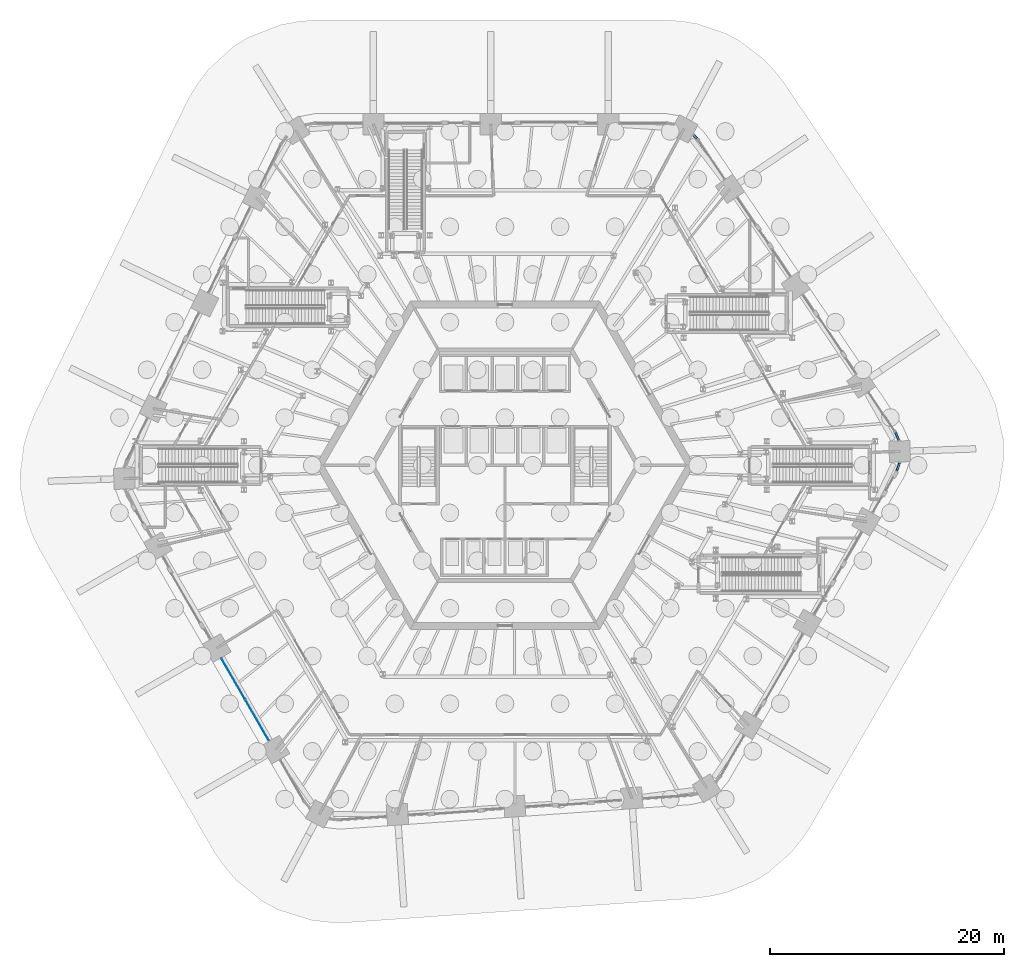
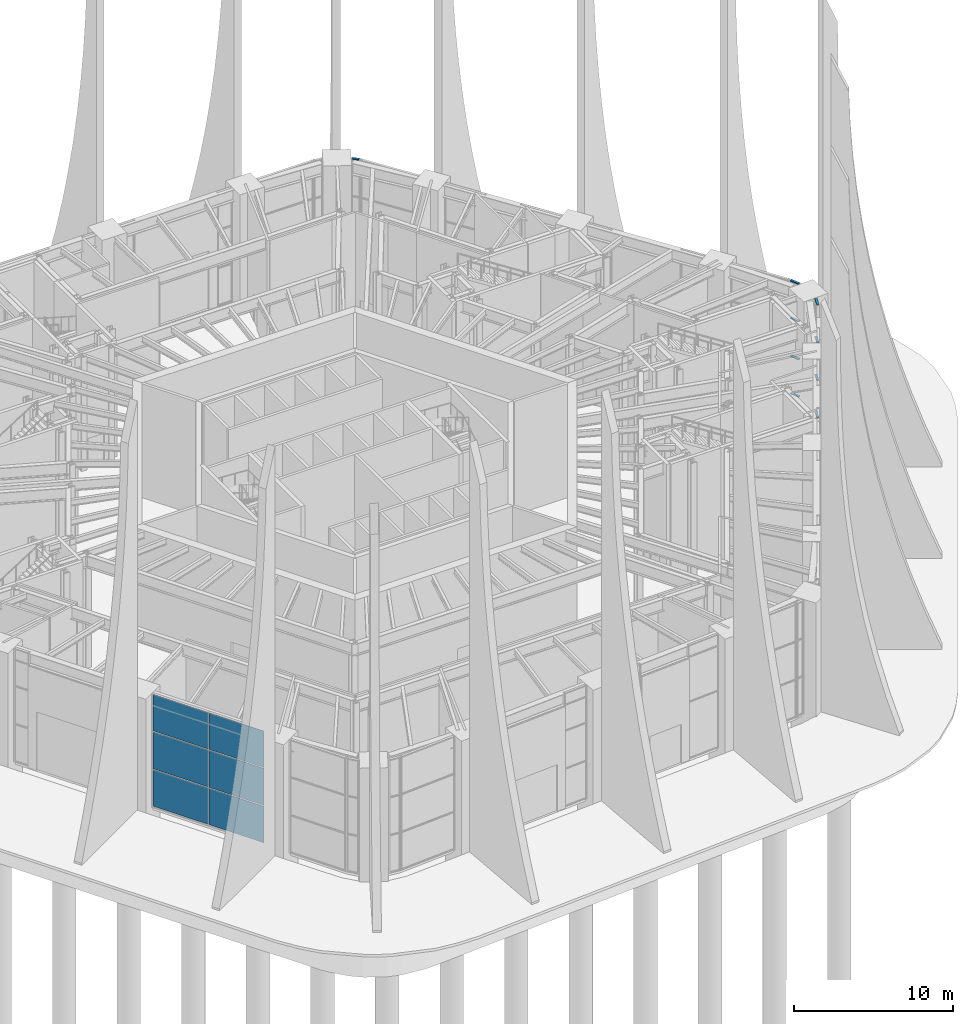
# One storey, part 17 of 43: 9 members, 6 plates, 4 elements without a shape of their own.
"""IFC4 building model written with IfcOpenShell, lengths in metres."""

from ifc_helpers import new_model, si_unit, direction, frame, origin, origin_2d, place, context, subcontext, project, spatial, rectangle, extrude, material, layer, layer_set, material_profile, profile_set, type_object, element, aggregate, save


model = new_model("IFC4")

# Units and contexts
model_context = context("Model", 3, precision=1e-05, world=origin(), true_north=direction((0.0, 1.0)))
body_context = subcontext(model_context, "Body", "Model", "MODEL_VIEW")
ifc_project = project(units=[si_unit("LENGTHUNIT", "METRE"), si_unit("AREAUNIT", "SQUARE_METRE"), si_unit("VOLUMEUNIT", "CUBIC_METRE"), si_unit("PLANEANGLEUNIT", "RADIAN"), si_unit("MASSUNIT", "GRAM", prefix="KILO")], contexts=[model_context])

# Site, building, storey
site_placement = place(None, origin())
site = spatial("IfcSite", under=ifc_project, at=site_placement, CompositionType="ELEMENT")
building_placement = place(site_placement, origin())
building = spatial("IfcBuilding", under=site, at=building_placement, Name="Tarnside Tower", CompositionType="ELEMENT")
storey_placement = place(building_placement, origin())
storey = spatial("IfcBuildingStorey", under=building, at=storey_placement, Name="L00", CompositionType="ELEMENT", Elevation=0.0)

# Curtain wall, members
ifc_material_1 = material(Name="Station concourse glazing wall", Category="glass")
curtain_wall_type = type_object("IfcCurtainWallType", Name="Station concourse glazing wall", PredefinedType="NOTDEFINED", material=ifc_material_1)
curtain_wall_1_placement = place(storey_placement, origin())
curtain_wall_1 = element("IfcCurtainWall", 1, at=curtain_wall_1_placement, inside=storey, type_object=curtain_wall_type, Name="Side light 181a", PredefinedType="NOTDEFINED")
ifc_material_2 = material(Name="Aluminium alloy 6063", Category="aluminium")
ifc_material_profile = material_profile(ifc_material_2, rectangle(XDim=0.159912109375, YDim=0.080078125, at=origin_2d()), Name="Station concourse glazing transom 80 x 160")
ifc_profile_set = profile_set([ifc_material_profile], Name="Aluminium alloy 6063")
member_type = type_object("IfcMemberType", Name="Station concourse glazing transom 80 x 160", PredefinedType="USERDEFINED", material=ifc_profile_set)
member_1_placement = place(storey_placement, frame((33.445556640625, -0.437744140625, 0.0400390625), z_axis=(0.331024301791, 0.943622229297, 0.0), x_axis=(-0.943622229297, 0.331024301791, 0.0)))
member_1 = element("IfcMember", 2, at=member_1_placement, type_object=member_type, Name="CW1 transom 1.1", ObjectType="TRANSOM", PredefinedType="USERDEFINED", context=body_context, shape_type="SweptSolid", body=[
    extrude(rectangle(XDim=0.159912109375, YDim=0.080078125, at=origin_2d()), origin(), (0.0, 0.0, 1.0), 0.66162109375),
])
member_2_placement = place(storey_placement, frame((33.445556640625, -0.437744140625, 2.916748046875), z_axis=(0.331024301791, 0.943622229297, 0.0), x_axis=(-0.943622229297, 0.331024301791, 0.0)))
member_2 = element("IfcMember", 3, at=member_2_placement, type_object=member_type, Name="CW1 transom 1.2", ObjectType="TRANSOM", PredefinedType="USERDEFINED", context=body_context, shape_type="SweptSolid", body=[
    extrude(rectangle(XDim=0.159912109375, YDim=0.080078125, at=origin_2d()), origin(), (0.0, 0.0, 1.0), 0.66162109375),
])
member_3_placement = place(storey_placement, frame((33.445556640625, -0.437744140625, 5.833251953125), z_axis=(0.331024301791, 0.943622229297, 0.0), x_axis=(-0.943622229297, 0.331024301791, 0.0)))
member_3 = element("IfcMember", 4, at=member_3_placement, type_object=member_type, Name="CW1 transom 1.3", ObjectType="TRANSOM", PredefinedType="USERDEFINED", context=body_context, shape_type="SweptSolid", body=[
    extrude(rectangle(XDim=0.159912109375, YDim=0.080078125, at=origin_2d()), origin(), (0.0, 0.0, 1.0), 0.66162109375),
])
member_4_placement = place(storey_placement, frame((33.445556640625, -0.437744140625, 8.7099609375), z_axis=(0.331024301791, 0.943622229297, 0.0), x_axis=(-0.943622229297, 0.331024301791, 0.0)))
member_4 = element("IfcMember", 5, at=member_4_placement, type_object=member_type, Name="CW1 transom 1.4", ObjectType="TRANSOM", PredefinedType="USERDEFINED", context=body_context, shape_type="SweptSolid", body=[
    extrude(rectangle(XDim=0.159912109375, YDim=0.080078125, at=origin_2d()), origin(), (0.0, 0.0, 1.0), 0.66162109375),
])
aggregate(curtain_wall_1, [member_1, member_2, member_3, member_4])

curtain_wall_2_placement = place(storey_placement, origin())
curtain_wall_2 = element("IfcCurtainWall", 6, at=curtain_wall_2_placement, inside=storey, type_object=curtain_wall_type, Name="Station concourse glazing L00 19.0", PredefinedType="NOTDEFINED")
member_5_placement = place(storey_placement, frame((33.595458984375, 2.162353515625, 0.0400390625), z_axis=(-0.396146041171, 0.918187515742, 0.0), x_axis=(-0.918187515742, -0.396146041171, 0.0)))
member_5 = element("IfcMember", 7, at=member_5_placement, type_object=member_type, Name="CW1 transom 1.1", ObjectType="TRANSOM", PredefinedType="USERDEFINED", context=body_context, shape_type="SweptSolid", body=[
    extrude(rectangle(XDim=0.159912109375, YDim=0.080078125, at=origin_2d()), origin(), (0.0, 0.0, 1.0), 0.661376953125),
])
member_6_placement = place(storey_placement, frame((33.595458984375, 2.162353515625, 2.916748046875), z_axis=(-0.396146041171, 0.918187515742, 0.0), x_axis=(-0.918187515742, -0.396146041171, 0.0)))
member_6 = element("IfcMember", 8, at=member_6_placement, type_object=member_type, Name="CW1 transom 1.2", ObjectType="TRANSOM", PredefinedType="USERDEFINED", context=body_context, shape_type="SweptSolid", body=[
    extrude(rectangle(XDim=0.159912109375, YDim=0.080078125, at=origin_2d()), origin(), (0.0, 0.0, 1.0), 0.661376953125),
])
member_7_placement = place(storey_placement, frame((33.595458984375, 2.162353515625, 5.833251953125), z_axis=(-0.396146041171, 0.918187515742, 0.0), x_axis=(-0.918187515742, -0.396146041171, 0.0)))
member_7 = element("IfcMember", 9, at=member_7_placement, type_object=member_type, Name="CW1 transom 1.3", ObjectType="TRANSOM", PredefinedType="USERDEFINED", context=body_context, shape_type="SweptSolid", body=[
    extrude(rectangle(XDim=0.159912109375, YDim=0.080078125, at=origin_2d()), origin(), (0.0, 0.0, 1.0), 0.661376953125),
])
member_8_placement = place(storey_placement, frame((33.595458984375, 2.162353515625, 8.7099609375), z_axis=(-0.396146041171, 0.918187515742, 0.0), x_axis=(-0.918187515742, -0.396146041171, 0.0)))
member_8 = element("IfcMember", 10, at=member_8_placement, type_object=member_type, Name="CW1 transom 1.4", ObjectType="TRANSOM", PredefinedType="USERDEFINED", context=body_context, shape_type="SweptSolid", body=[
    extrude(rectangle(XDim=0.159912109375, YDim=0.080078125, at=origin_2d()), origin(), (0.0, 0.0, 1.0), 0.661376953125),
])
aggregate(curtain_wall_2, [member_5, member_6, member_7, member_8])

# Curtain wall, member
curtain_wall_3_placement = place(storey_placement, origin())
curtain_wall_3 = element("IfcCurtainWall", 11, at=curtain_wall_3_placement, inside=storey, type_object=curtain_wall_type, Name="Station concourse glazing L00 22.1", PredefinedType="NOTDEFINED")
member_9_placement = place(storey_placement, frame((16.412353515625, 27.8603515625, 8.7099609375), z_axis=(-0.686383557248, 0.72723972137, 0.0), x_axis=(-0.72723972137, -0.686383557248, 0.0)))
member_9 = element("IfcMember", 12, at=member_9_placement, type_object=member_type, Name="CW1 transom 1.4", ObjectType="TRANSOM", PredefinedType="USERDEFINED", context=body_context, shape_type="SweptSolid", body=[
    extrude(rectangle(XDim=0.159912109375, YDim=0.080078125, at=origin_2d()), origin(), (0.0, 0.0, 1.0), 0.4482421875),
])
aggregate(curtain_wall_3, [member_9])

# Curtain wall, plates
curtain_wall_4_placement = place(storey_placement, origin())
curtain_wall_4 = element("IfcCurtainWall", 13, at=curtain_wall_4_placement, inside=storey, type_object=curtain_wall_type, Name="Station concourse glazing L00 09.0", PredefinedType="NOTDEFINED")
ifc_material_3 = material(Name="Low-iron safety glass", Category="glass")
ifc_layer = layer(ifc_material_3, 0.031982421875)
ifc_layer_set = layer_set([ifc_layer], Name="Station concourse glazing panel 32")
plate_type = type_object("IfcPlateType", Name="Station concourse glazing panel 32", PredefinedType="CURTAIN_PANEL", material=ifc_layer_set)
plate_1_placement = place(storey_placement, frame((-23.1943359375, -18.22607421875, 0.080078125), z_axis=(0.0, 0.0, 1.0), x_axis=(0.500000000076, -0.866025403741, 0.0)))
plate_1 = element("IfcPlate", 14, at=plate_1_placement, type_object=plate_type, Name="CW1 panel 1.1", PredefinedType="CURTAIN_PANEL", context=body_context, shape_type="SweptSolid", body=[
    extrude(rectangle(XDim=3.991943359375, YDim=0.031982421875, at=origin_2d()), origin(), (0.0, 0.0, 1.0), 2.796630859375),
])
plate_2_placement = place(storey_placement, frame((-23.1943359375, -18.22607421875, 2.95654296875), z_axis=(0.0, 0.0, 1.0), x_axis=(0.500000000076, -0.866025403741, 0.0)))
plate_2 = element("IfcPlate", 15, at=plate_2_placement, type_object=plate_type, Name="CW1 panel 1.2", PredefinedType="CURTAIN_PANEL", context=body_context, shape_type="SweptSolid", body=[
    extrude(rectangle(XDim=3.991943359375, YDim=0.031982421875, at=origin_2d()), origin(), (0.0, 0.0, 1.0), 2.836669921875),
])
plate_3_placement = place(storey_placement, frame((-23.1943359375, -18.22607421875, 5.87353515625), z_axis=(0.0, 0.0, 1.0), x_axis=(0.500000000076, -0.866025403741, 0.0)))
plate_3 = element("IfcPlate", 16, at=plate_3_placement, type_object=plate_type, Name="CW1 panel 1.3", PredefinedType="CURTAIN_PANEL", context=body_context, shape_type="SweptSolid", body=[
    extrude(rectangle(XDim=3.991943359375, YDim=0.031982421875, at=origin_2d()), origin(), (0.0, 0.0, 1.0), 2.796630859375),
])
plate_4_placement = place(storey_placement, frame((-21.158447265625, -21.75244140625, 0.080078125), z_axis=(0.0, 0.0, 1.0), x_axis=(0.500000000076, -0.866025403741, 0.0)))
plate_4 = element("IfcPlate", 17, at=plate_4_placement, type_object=plate_type, Name="CW1 panel 2.1", PredefinedType="CURTAIN_PANEL", context=body_context, shape_type="SweptSolid", body=[
    extrude(rectangle(XDim=3.991943359375, YDim=0.031982421875, at=origin_2d()), origin(), (0.0, 0.0, 1.0), 2.796630859375),
])
plate_5_placement = place(storey_placement, frame((-21.158447265625, -21.75244140625, 2.95654296875), z_axis=(0.0, 0.0, 1.0), x_axis=(0.500000000076, -0.866025403741, 0.0)))
plate_5 = element("IfcPlate", 18, at=plate_5_placement, type_object=plate_type, Name="CW1 panel 2.2", PredefinedType="CURTAIN_PANEL", context=body_context, shape_type="SweptSolid", body=[
    extrude(rectangle(XDim=3.991943359375, YDim=0.031982421875, at=origin_2d()), origin(), (0.0, 0.0, 1.0), 2.836669921875),
])
plate_6_placement = place(storey_placement, frame((-21.158447265625, -21.75244140625, 5.87353515625), z_axis=(0.0, 0.0, 1.0), x_axis=(0.500000000076, -0.866025403741, 0.0)))
plate_6 = element("IfcPlate", 19, at=plate_6_placement, type_object=plate_type, Name="CW1 panel 2.3", PredefinedType="CURTAIN_PANEL", context=body_context, shape_type="SweptSolid", body=[
    extrude(rectangle(XDim=3.991943359375, YDim=0.031982421875, at=origin_2d()), origin(), (0.0, 0.0, 1.0), 2.796630859375),
])
aggregate(curtain_wall_4, [plate_1, plate_2, plate_3, plate_4, plate_5, plate_6])

save(model, "model.ifc")
